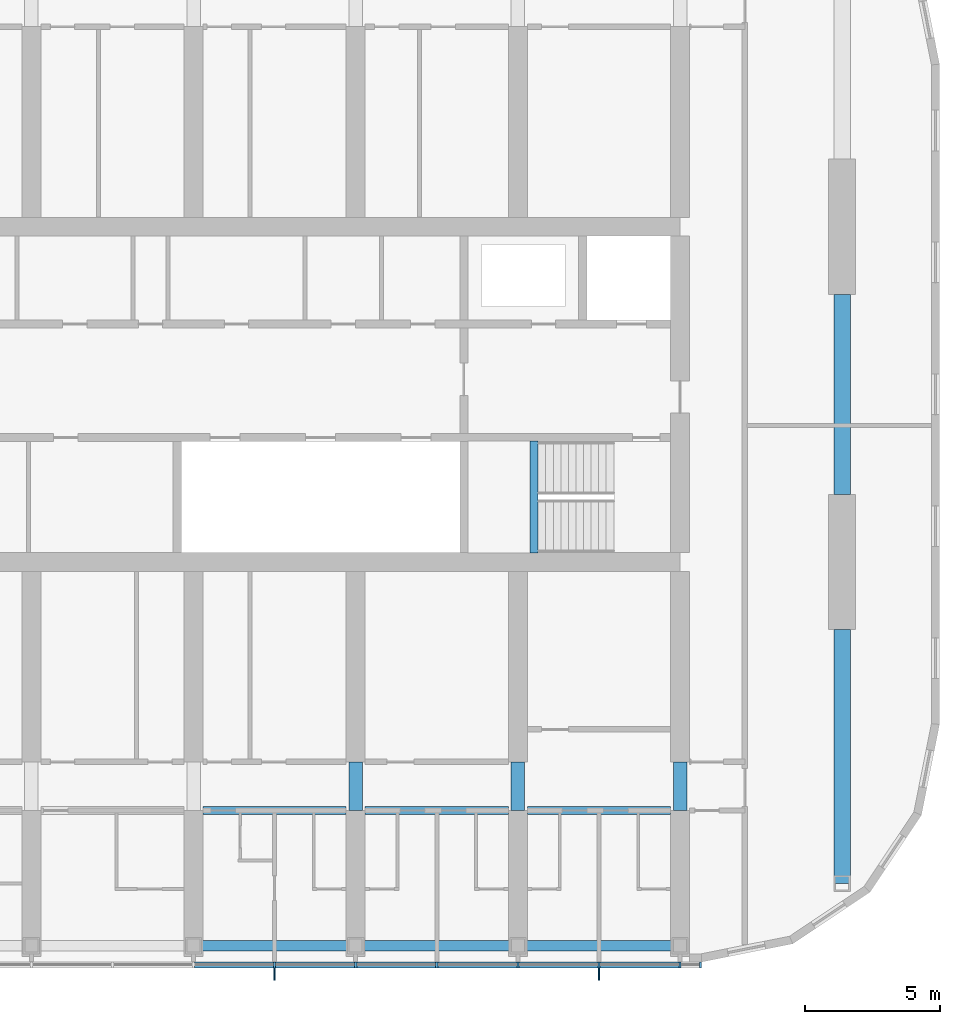
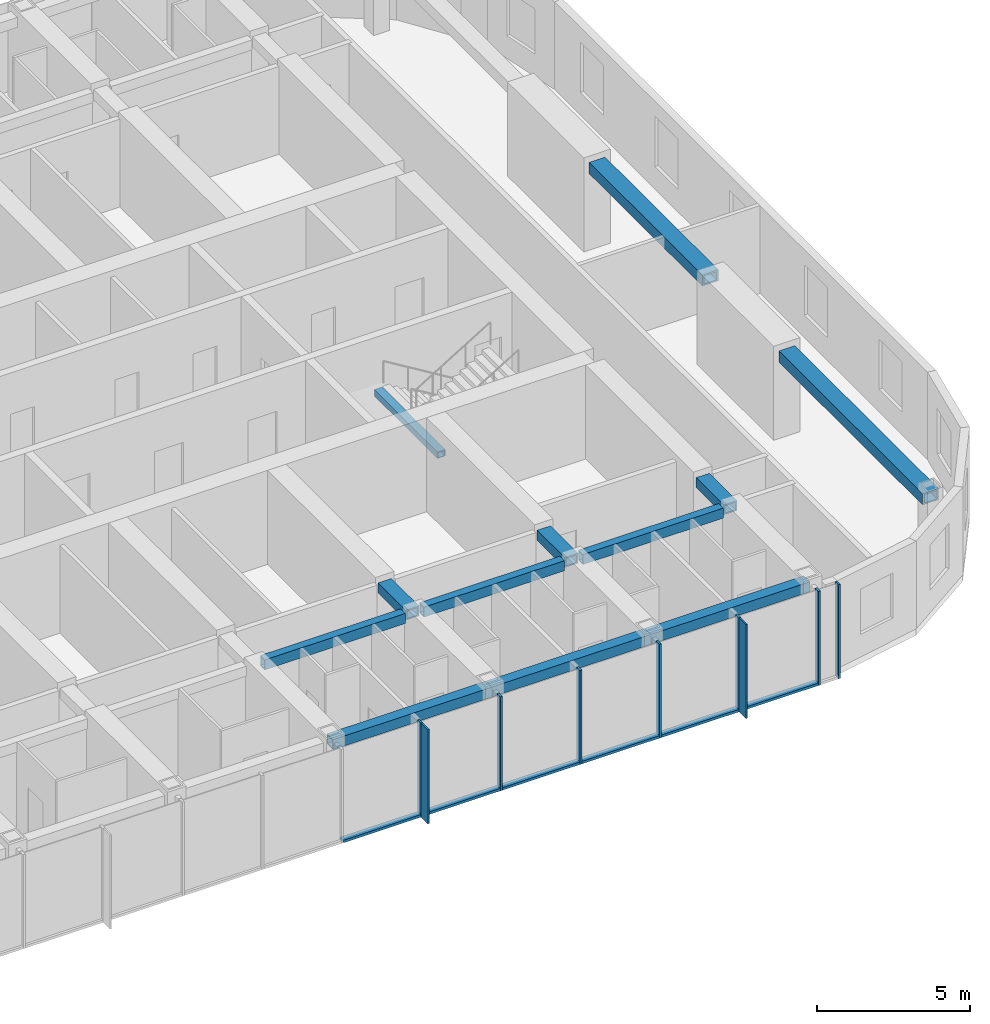
# One storey, part 3 of 24: 15 members, 12 beams, 1 element without a shape of its own.
"""IFC4 building model written with IfcOpenShell, lengths in metres."""

from ifc_helpers import new_model, si_unit, direction, frame, origin, origin_2d, place, context, subcontext, project, spatial, rectangle, hollow_rectangle, extrude, material, material_profile, profile_set, type_object, element, aggregate, save


model = new_model("IFC4")

# Units and contexts
model_context = context("Model", 3, precision=1e-05, world=origin(), true_north=direction((0.0, 1.0)))
body_context = subcontext(model_context, "Body", "Model", "MODEL_VIEW")
ifc_project = project(units=[si_unit("LENGTHUNIT", "METRE"), si_unit("AREAUNIT", "SQUARE_METRE"), si_unit("VOLUMEUNIT", "CUBIC_METRE"), si_unit("PLANEANGLEUNIT", "RADIAN"), si_unit("MASSUNIT", "GRAM", prefix="KILO")], contexts=[model_context])

# Site, building, storey
site_placement = place(None, origin())
site = spatial("IfcSite", under=ifc_project, at=site_placement, CompositionType="ELEMENT")
building_placement = place(site_placement, origin())
building = spatial("IfcBuilding", under=site, at=building_placement, Name="Orbita Commons", CompositionType="ELEMENT")
storey_placement = place(building_placement, frame((0.0, 0.0, 235.300048828125)))
storey = spatial("IfcBuildingStorey", under=building, at=storey_placement, Name="L58", CompositionType="ELEMENT", Elevation=235.300048828125)

# Curtain wall, members
ifc_material_1 = material(Name="Anodised aluminium frame, pale silver", Category="aluminium")
curtain_wall_type = type_object("IfcCurtainWallType", Name="Unitised curtain wall CW-U, full-height vision", PredefinedType="NOTDEFINED", material=ifc_material_1)
curtain_wall_placement = place(storey_placement, origin())
curtain_wall = element("IfcCurtainWall", 1, at=curtain_wall_placement, inside=storey, type_object=curtain_wall_type, Name="Curtain wall south L58", PredefinedType="NOTDEFINED")
ifc_material_2 = material(Name="Anodised aluminium, pale silver", Category="aluminium")
ifc_material_profile_1 = material_profile(ifc_material_2, rectangle(XDim=0.080078125, YDim=0.219970703125, at=origin_2d()), Name="AL 80x220")
ifc_profile_set_1 = profile_set([ifc_material_profile_1], Name="Anodised aluminium, pale silver")
member_type_1 = type_object("IfcMemberType", Name="Curtain wall mullion 80x220", PredefinedType="MULLION", material=ifc_profile_set_1)
member_1_placement = place(storey_placement, frame((51.0, 10.889892578125, -0.25), z_axis=(0.0, 0.0, 1.0), x_axis=(1.0, 0.0, 0.0)))
member_1 = element("IfcMember", 2, at=member_1_placement, type_object=member_type_1, Name="Mullion 13 CW-L58-S", PredefinedType="MULLION", context=body_context, shape_type="SweptSolid", body=[
    extrude(rectangle(XDim=0.080078125, YDim=0.219970703125, at=origin_2d()), origin(), (0.0, 0.0, 1.0), 3.75),
])
member_2_placement = place(storey_placement, frame((54.0, 10.889892578125, -0.25), z_axis=(0.0, 0.0, 1.0), x_axis=(1.0, 0.0, 0.0)))
member_2 = element("IfcMember", 3, at=member_2_placement, type_object=member_type_1, Name="Mullion 14 CW-L58-S", PredefinedType="MULLION", context=body_context, shape_type="SweptSolid", body=[
    extrude(rectangle(XDim=0.080078125, YDim=0.219970703125, at=origin_2d()), origin(), (0.0, 0.0, 1.0), 3.75),
])
member_3_placement = place(storey_placement, frame((57.0, 10.889892578125, -0.25), z_axis=(0.0, 0.0, 1.0), x_axis=(1.0, 0.0, 0.0)))
member_3 = element("IfcMember", 4, at=member_3_placement, type_object=member_type_1, Name="Mullion 15 CW-L58-S", PredefinedType="MULLION", context=body_context, shape_type="SweptSolid", body=[
    extrude(rectangle(XDim=0.080078125, YDim=0.219970703125, at=origin_2d()), origin(), (0.0, 0.0, 1.0), 3.75),
])
member_4_placement = place(storey_placement, frame((60.0, 10.889892578125, -0.25), z_axis=(0.0, 0.0, 1.0), x_axis=(1.0, 0.0, 0.0)))
member_4 = element("IfcMember", 5, at=member_4_placement, type_object=member_type_1, Name="Mullion 16 CW-L58-S", PredefinedType="MULLION", context=body_context, shape_type="SweptSolid", body=[
    extrude(rectangle(XDim=0.080078125, YDim=0.219970703125, at=origin_2d()), origin(), (0.0, 0.0, 1.0), 3.75),
])
member_5_placement = place(storey_placement, frame((63.0, 10.889892578125, -0.25), z_axis=(0.0, 0.0, 1.0), x_axis=(1.0, 0.0, 0.0)))
member_5 = element("IfcMember", 6, at=member_5_placement, type_object=member_type_1, Name="Mullion 17 CW-L58-S", PredefinedType="MULLION", context=body_context, shape_type="SweptSolid", body=[
    extrude(rectangle(XDim=0.080078125, YDim=0.219970703125, at=origin_2d()), origin(), (0.0, 0.0, 1.0), 3.75),
])
member_6_placement = place(storey_placement, frame((66.0, 10.889892578125, -0.25), z_axis=(0.0, 0.0, 1.0), x_axis=(1.0, 0.0, 0.0)))
member_6 = element("IfcMember", 7, at=member_6_placement, type_object=member_type_1, Name="Mullion 18 CW-L58-S", PredefinedType="MULLION", context=body_context, shape_type="SweptSolid", body=[
    extrude(rectangle(XDim=0.080078125, YDim=0.219970703125, at=origin_2d()), origin(), (0.0, 0.0, 1.0), 3.75),
])
member_7_placement = place(storey_placement, frame((66.760009765625, 10.889892578125, -0.25), z_axis=(0.0, 0.0, 1.0), x_axis=(1.0, 0.0, 0.0)))
member_7 = element("IfcMember", 8, at=member_7_placement, type_object=member_type_1, Name="Mullion 19 CW-L58-S", PredefinedType="MULLION", context=body_context, shape_type="SweptSolid", body=[
    extrude(rectangle(XDim=0.080078125, YDim=0.219970703125, at=origin_2d()), origin(), (0.0, 0.0, 1.0), 3.75),
])
ifc_material_3 = material(Name="Anodised aluminium, pale silver", Category="aluminium")
ifc_material_profile_2 = material_profile(ifc_material_3, rectangle(XDim=0.219970703125, YDim=0.10009765625, at=origin_2d()), Name="AL 220x100")
ifc_profile_set_2 = profile_set([ifc_material_profile_2], Name="Anodised aluminium, pale silver")
member_type_2 = type_object("IfcMemberType", Name="Curtain wall stack transom 220x100", PredefinedType="USERDEFINED", material=ifc_profile_set_2)
member_8_placement = place(storey_placement, frame((48.0400390625, 10.889892578125, -0.199951171875), z_axis=(1.0, 0.0, 0.0), x_axis=(0.0, 1.0, 0.0)))
member_8 = element("IfcMember", 9, at=member_8_placement, type_object=member_type_2, Name="Transom 12.1 CW-L58-S", ObjectType="TRANSOM", PredefinedType="USERDEFINED", context=body_context, shape_type="SweptSolid", body=[
    extrude(rectangle(XDim=0.219970703125, YDim=0.10009765625, at=origin_2d()), origin(), (0.0, 0.0, 1.0), 2.919921875),
])
member_9_placement = place(storey_placement, frame((51.0400390625, 10.889892578125, -0.199951171875), z_axis=(1.0, 0.0, 0.0), x_axis=(0.0, 1.0, 0.0)))
member_9 = element("IfcMember", 10, at=member_9_placement, type_object=member_type_2, Name="Transom 13.1 CW-L58-S", ObjectType="TRANSOM", PredefinedType="USERDEFINED", context=body_context, shape_type="SweptSolid", body=[
    extrude(rectangle(XDim=0.219970703125, YDim=0.10009765625, at=origin_2d()), origin(), (0.0, 0.0, 1.0), 2.919921875),
])
member_10_placement = place(storey_placement, frame((54.0400390625, 10.889892578125, -0.199951171875), z_axis=(1.0, 0.0, 0.0), x_axis=(0.0, 1.0, 0.0)))
member_10 = element("IfcMember", 11, at=member_10_placement, type_object=member_type_2, Name="Transom 14.1 CW-L58-S", ObjectType="TRANSOM", PredefinedType="USERDEFINED", context=body_context, shape_type="SweptSolid", body=[
    extrude(rectangle(XDim=0.219970703125, YDim=0.10009765625, at=origin_2d()), origin(), (0.0, 0.0, 1.0), 2.919921875),
])
member_11_placement = place(storey_placement, frame((57.0400390625, 10.889892578125, -0.199951171875), z_axis=(1.0, 0.0, 0.0), x_axis=(0.0, 1.0, 0.0)))
member_11 = element("IfcMember", 12, at=member_11_placement, type_object=member_type_2, Name="Transom 15.1 CW-L58-S", ObjectType="TRANSOM", PredefinedType="USERDEFINED", context=body_context, shape_type="SweptSolid", body=[
    extrude(rectangle(XDim=0.219970703125, YDim=0.10009765625, at=origin_2d()), origin(), (0.0, 0.0, 1.0), 2.919921875),
])
member_12_placement = place(storey_placement, frame((60.0400390625, 10.889892578125, -0.199951171875), z_axis=(1.0, 0.0, 0.0), x_axis=(0.0, 1.0, 0.0)))
member_12 = element("IfcMember", 13, at=member_12_placement, type_object=member_type_2, Name="Transom 16.1 CW-L58-S", ObjectType="TRANSOM", PredefinedType="USERDEFINED", context=body_context, shape_type="SweptSolid", body=[
    extrude(rectangle(XDim=0.219970703125, YDim=0.10009765625, at=origin_2d()), origin(), (0.0, 0.0, 1.0), 2.919921875),
])
member_13_placement = place(storey_placement, frame((63.0400390625, 10.889892578125, -0.199951171875), z_axis=(1.0, 0.0, 0.0), x_axis=(0.0, 1.0, 0.0)))
member_13 = element("IfcMember", 14, at=member_13_placement, type_object=member_type_2, Name="Transom 17.1 CW-L58-S", ObjectType="TRANSOM", PredefinedType="USERDEFINED", context=body_context, shape_type="SweptSolid", body=[
    extrude(rectangle(XDim=0.219970703125, YDim=0.10009765625, at=origin_2d()), origin(), (0.0, 0.0, 1.0), 2.919921875),
])

# Beams
ifc_material_4 = material(Name="Steel ASTM A572 Gr 50 welded plate", Category="steel")
ifc_material_profile_3 = material_profile(ifc_material_4, hollow_rectangle(XDim=0.300048828125, YDim=0.25, WallThickness=0.02490234375, at=origin_2d()), Name="BOX 250x300x25")
ifc_profile_set_3 = profile_set([ifc_material_profile_3], Name="Steel ASTM A572 Gr 50 welded plate")
beam_type_1 = type_object("IfcBeamType", Name="Stair landing beam steel BOX 250x300x25", PredefinedType="BEAM", material=ifc_profile_set_3)
beam_1_placement = place(storey_placement, frame((60.60009765625, 26.135009765625, 1.550048828125), z_axis=(0.0, 1.0, 0.0), x_axis=(-1.0, 0.0, 0.0)))
element("IfcBeam", 15, at=beam_1_placement, inside=storey, type_object=beam_type_1, Name="Stair S2 landing beam L58 1", PredefinedType="BEAM", context=body_context, shape_type="SweptSolid", body=[
    extrude(hollow_rectangle(XDim=0.300048828125, YDim=0.25, WallThickness=0.02490234375, at=origin_2d()), origin(), (0.0, 0.0, 1.0), 4.1298828125),
])
ifc_material_5 = material(Name="Steel ASTM A572 Gr 50 welded plate", Category="steel")
ifc_material_profile_4 = material_profile(ifc_material_5, hollow_rectangle(XDim=0.300048828125, YDim=0.39990234375, WallThickness=0.0400390625, at=origin_2d()), Name="BOX 400x300x40")
ifc_profile_set_4 = profile_set([ifc_material_profile_4], Name="Steel ASTM A572 Gr 50 welded plate")
beam_type_2 = type_object("IfcBeamType", Name="Steel corridor link BOX 400x300x40", PredefinedType="BEAM", material=ifc_profile_set_4)
for number, where, z_axis, x_axis, name in (
    (16, (48.35009765625, 16.60009765625, 3.300048828125), (1.0, 0.0, 0.0), (0.0, 1.0, 0.0), "Corridor beam SA 9-10 L58"),
    (17, (54.35009765625, 16.60009765625, 3.300048828125), (1.0, 0.0, 0.0), (0.0, 1.0, 0.0), "Corridor beam SA 10-11 L58"),
    (18, (60.35009765625, 16.60009765625, 3.300048828125), (1.0, 0.0, 0.0), (0.0, 1.0, 0.0), "Corridor beam SA 11-12 L58"),
):
    element("IfcBeam", number, at=place(storey_placement, frame(where, z_axis=z_axis, x_axis=x_axis)), inside=storey, type_object=beam_type_2, Name=name, PredefinedType="BEAM", context=body_context, shape_type="SweptSolid", body=[
        extrude(hollow_rectangle(XDim=0.300048828125, YDim=0.39990234375, WallThickness=0.0400390625, at=origin_2d()), origin(), (0.0, 0.0, 1.0), 5.2998046875),
    ])
ifc_material_6 = material(Name="Steel ASTM A572 Gr 50 welded plate", Category="steel")
ifc_material_profile_5 = material_profile(ifc_material_6, hollow_rectangle(XDim=0.5, YDim=0.39990234375, WallThickness=0.050048828125, at=origin_2d()), Name="BOX 400x500x50")
ifc_profile_set_5 = profile_set([ifc_material_profile_5], Name="Steel ASTM A572 Gr 50 welded plate")
beam_type_3 = type_object("IfcBeamType", Name="Steel coupling link BOX 400x500x50", PredefinedType="LINTEL", material=ifc_profile_set_5)
for number, where, z_axis, x_axis, name in (
    (19, (54.0, 16.60009765625, 3.300048828125), (0.0, 1.0, 0.0), (-1.0, 0.0, 0.0), "Coupling beam 10 south L58"),
    (20, (60.0, 16.60009765625, 3.300048828125), (0.0, 1.0, 0.0), (-1.0, 0.0, 0.0), "Coupling beam 11 south L58"),
    (21, (66.0, 16.60009765625, 3.300048828125), (0.0, 1.0, 0.0), (-1.0, 0.0, 0.0), "Coupling beam 12 south L58"),
):
    element("IfcBeam", number, at=place(storey_placement, frame(where, z_axis=z_axis, x_axis=x_axis)), inside=storey, type_object=beam_type_3, Name=name, PredefinedType="LINTEL", context=body_context, shape_type="SweptSolid", body=[
        extrude(hollow_rectangle(XDim=0.5, YDim=0.39990234375, WallThickness=0.050048828125, at=origin_2d()), origin(), (0.0, 0.0, 1.0), 1.7998046875),
    ])
ifc_material_7 = material(Name="Steel ASTM A572 Gr 50 welded plate", Category="steel")
ifc_material_profile_6 = material_profile(ifc_material_7, hollow_rectangle(XDim=0.60009765625, YDim=0.449951171875, WallThickness=0.06005859375, at=origin_2d()), Name="BOX 450x600x60")
ifc_profile_set_6 = profile_set([ifc_material_profile_6], Name="Steel ASTM A572 Gr 50 welded plate")
beam_type_4 = type_object("IfcBeamType", Name="Steel end frame link BOX 450x600x60", PredefinedType="BEAM", material=ifc_profile_set_6)
beam_2_placement = place(storey_placement, frame((72.0, 13.89990234375, 3.27490234375), z_axis=(0.0, 1.0, 0.0), x_axis=(-1.0, 0.0, 0.0)))
element("IfcBeam", 22, at=beam_2_placement, inside=storey, type_object=beam_type_4, Name="End frame beam 13 B-C L58", PredefinedType="BEAM", context=body_context, shape_type="SweptSolid", body=[
    extrude(hollow_rectangle(XDim=0.60009765625, YDim=0.449951171875, WallThickness=0.06005859375, at=origin_2d()), origin(), (0.0, 0.0, 1.0), 9.400146484375),
])
beam_3_placement = place(storey_placement, frame((72.0, 28.300048828125, 3.27490234375), z_axis=(0.0, 1.0, 0.0), x_axis=(-1.0, 0.0, 0.0)))
element("IfcBeam", 23, at=beam_3_placement, inside=storey, type_object=beam_type_4, Name="End frame beam 13 C-D L58", PredefinedType="BEAM", context=body_context, shape_type="SweptSolid", body=[
    extrude(hollow_rectangle(XDim=0.60009765625, YDim=0.449951171875, WallThickness=0.06005859375, at=origin_2d()), origin(), (0.0, 0.0, 1.0), 7.39990234375),
])
ifc_material_8 = material(Name="Steel ASTM A572 Gr 50 welded plate", Category="steel")
ifc_material_profile_7 = material_profile(ifc_material_8, hollow_rectangle(XDim=0.39990234375, YDim=0.39990234375, WallThickness=0.0400390625, at=origin_2d()), Name="BOX 400x400x40")
ifc_profile_set_7 = profile_set([ifc_material_profile_7], Name="Steel ASTM A572 Gr 50 welded plate")
beam_type_5 = type_object("IfcBeamType", Name="Steel spandrel BOX 400x400x40", PredefinedType="SPANDREL", material=ifc_profile_set_7)
for number, where, z_axis, x_axis, name in (
    (24, (48.0, 11.60009765625, 3.300048828125), (1.0, 0.0, 0.0), (0.0, 1.0, 0.0), "Spandrel beam B 9-10 L58"),
    (25, (54.0, 11.60009765625, 3.300048828125), (1.0, 0.0, 0.0), (0.0, 1.0, 0.0), "Spandrel beam B 10-11 L58"),
    (26, (60.0, 11.60009765625, 3.300048828125), (1.0, 0.0, 0.0), (0.0, 1.0, 0.0), "Spandrel beam B 11-12 L58"),
):
    element("IfcBeam", number, at=place(storey_placement, frame(where, z_axis=z_axis, x_axis=x_axis)), inside=storey, type_object=beam_type_5, Name=name, PredefinedType="SPANDREL", context=body_context, shape_type="SweptSolid", body=[
        extrude(hollow_rectangle(XDim=0.39990234375, YDim=0.39990234375, WallThickness=0.0400390625, at=origin_2d()), origin(), (0.0, 0.0, 1.0), 6.0),
    ])

# Member
ifc_material_9 = material(Name="Anodised aluminium, pale silver", Category="aluminium")
ifc_material_profile_8 = material_profile(ifc_material_9, rectangle(XDim=0.06005859375, YDim=0.449951171875, at=origin_2d()), Name="FIN 60x450")
ifc_profile_set_8 = profile_set([ifc_material_profile_8], Name="Anodised aluminium, pale silver")
member_type_3 = type_object("IfcMemberType", Name="Vertical fin 60x450 pale aluminium", PredefinedType="USERDEFINED", material=ifc_profile_set_8)
member_14_placement = place(storey_placement, frame((51.0, 10.554931640625, -0.25), z_axis=(0.0, 0.0, 1.0), x_axis=(1.0, 0.0, 0.0)))
member_14 = element("IfcMember", 27, at=member_14_placement, type_object=member_type_3, Name="Fin 13 CW-L58-S", ObjectType="FIN", PredefinedType="USERDEFINED", context=body_context, shape_type="SweptSolid", body=[
    extrude(rectangle(XDim=0.06005859375, YDim=0.449951171875, at=origin_2d()), origin(), (0.0, 0.0, 1.0), 3.75),
])

member_15_placement = place(storey_placement, frame((63.0, 10.554931640625, -0.25), z_axis=(0.0, 0.0, 1.0), x_axis=(1.0, 0.0, 0.0)))
member_15 = element("IfcMember", 28, at=member_15_placement, type_object=member_type_3, Name="Fin 17 CW-L58-S", ObjectType="FIN", PredefinedType="USERDEFINED", context=body_context, shape_type="SweptSolid", body=[
    extrude(rectangle(XDim=0.06005859375, YDim=0.449951171875, at=origin_2d()), origin(), (0.0, 0.0, 1.0), 3.75),
])

aggregate(curtain_wall, [member_1, member_14, member_2, member_3, member_4, member_5, member_15, member_6, member_7, member_8, member_9, member_10, member_11, member_12, member_13])

save(model, "model.ifc")
